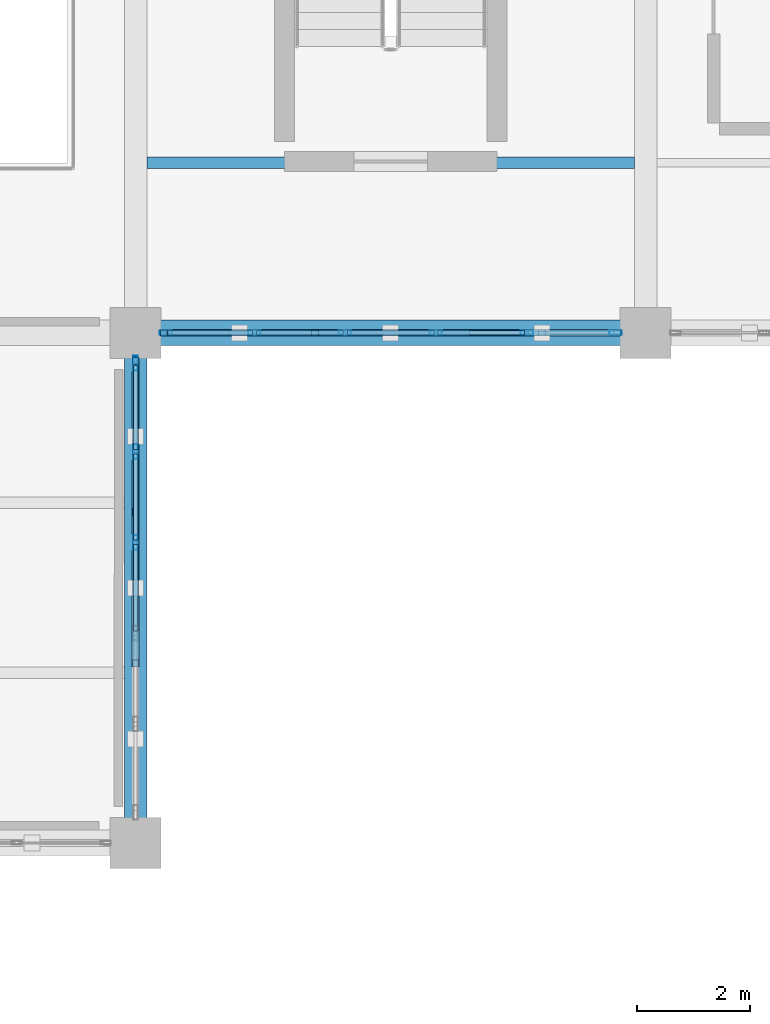
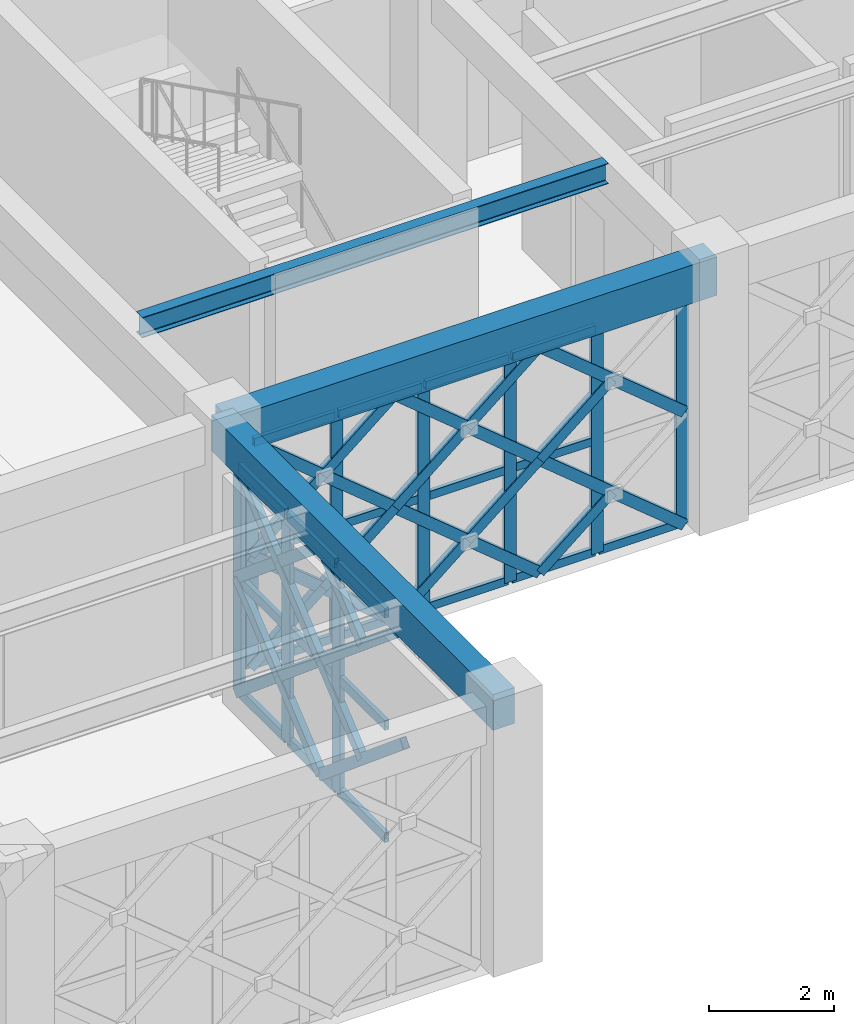
# One storey, part 96 of 155: 57 members, 3 beams, 2 elements without a shape of their own.
"""IFC4 building model written with IfcOpenShell, lengths in metres."""

from ifc_helpers import new_model, si_unit, direction, frame, origin, origin_2d, place, context, subcontext, project, spatial, rectangle, hollow_rectangle, i_section, extrude, material, material_profile, profile_set, type_object, element, aggregate, save


model = new_model("IFC4")

# Units and contexts
model_context = context("Model", 3, precision=1e-05, world=origin(), true_north=direction((0.0, 1.0)))
body_context = subcontext(model_context, "Body", "Model", "MODEL_VIEW")
ifc_project = project(units=[si_unit("LENGTHUNIT", "METRE"), si_unit("AREAUNIT", "SQUARE_METRE"), si_unit("VOLUMEUNIT", "CUBIC_METRE"), si_unit("PLANEANGLEUNIT", "RADIAN"), si_unit("MASSUNIT", "GRAM", prefix="KILO")], contexts=[model_context])

# Site, building, storey
site_placement = place(None, origin())
site = spatial("IfcSite", under=ifc_project, at=site_placement, CompositionType="ELEMENT")
building_placement = place(site_placement, origin())
building = spatial("IfcBuilding", under=site, at=building_placement, Name="Haizhuo Lancet Aquarium", CompositionType="ELEMENT")
storey_placement = place(building_placement, frame((0.0, 0.0, 10.800048828125)))
storey = spatial("IfcBuildingStorey", under=building, at=storey_placement, Name="L02", CompositionType="ELEMENT", Elevation=10.800048828125)

# Beams
ifc_material_1 = material(Name="Concrete C40/50", Category="concrete")
ifc_material_profile_1 = material_profile(ifc_material_1, rectangle(XDim=0.39990234375, YDim=0.699951171875, at=origin_2d()), Name="RC-BM 400x700")
ifc_profile_set_1 = profile_set([ifc_material_profile_1], Name="Concrete C40/50")
beam_type_1 = type_object("IfcBeamType", Name="BM-RC-400x700", PredefinedType="BEAM", material=ifc_profile_set_1)
beam_1_placement = place(storey_placement, frame((54.0, -36.0, 4.81005859375), z_axis=(0.0, 1.0, 0.0), x_axis=(-1.0, 0.0, 0.0)))
element("IfcBeam", 1, at=beam_1_placement, inside=storey, type_object=beam_type_1, Name="L02 V3 primary girder BM-L02-V3-017", PredefinedType="BEAM", context=body_context, shape_type="SweptSolid", body=[
    extrude(rectangle(XDim=0.39990234375, YDim=0.699951171875, at=origin_2d()), origin(), (0.0, 0.0, 1.0), 9.0),
])
ifc_material_profile_2 = material_profile(ifc_material_1, rectangle(XDim=0.449951171875, YDim=0.75, at=origin_2d()), Name="RC-BM 450x750")
ifc_profile_set_2 = profile_set([ifc_material_profile_2], Name="Concrete C40/50")
beam_type_2 = type_object("IfcBeamType", Name="BM-RC-450x750", PredefinedType="BEAM", material=ifc_profile_set_2)
beam_2_placement = place(storey_placement, frame((54.0, -27.0, 4.784912109375), z_axis=(1.0, 0.0, 0.0), x_axis=(0.0, 1.0, 0.0)))
element("IfcBeam", 2, at=beam_2_placement, inside=storey, type_object=beam_type_2, Name="L02 V3 primary girder BM-L02-V3-019", PredefinedType="BEAM", context=body_context, shape_type="SweptSolid", body=[
    extrude(rectangle(XDim=0.449951171875, YDim=0.75, at=origin_2d()), origin(), (0.0, 0.0, 1.0), 9.0),
])

# Curtain wall, members
ifc_material_2 = material(Name="Aluminium 6063-T6", Category="aluminium")
curtain_wall_type_1 = type_object("IfcCurtainWallType", Name="CWO-8010x4410", PredefinedType="NOTDEFINED", material=ifc_material_2)
curtain_wall_1_placement = place(storey_placement, origin())
curtain_wall_1 = element("IfcCurtainWall", 3, at=curtain_wall_1_placement, inside=storey, type_object=curtain_wall_type_1, Name="L02 curtain wall CW-V3-L02-059", PredefinedType="NOTDEFINED")
ifc_material_profile_3 = material_profile(ifc_material_2, hollow_rectangle(XDim=0.074951171875, YDim=0.219970703125, WallThickness=0.0048828125, at=origin_2d()), Name="ALU-M 75x220x5")
ifc_profile_set_3 = profile_set([ifc_material_profile_3], Name="Aluminium 6063-T6")
member_type_1 = type_object("IfcMemberType", Name="CW-MUL-2", PredefinedType="MULLION", material=ifc_profile_set_3)
member_1_placement = place(storey_placement, frame((62.468017578125, -27.0, 0.0), z_axis=(0.0, 0.0, 1.0), x_axis=(0.0, -1.0, 0.0)))
member_1 = element("IfcMember", 4, at=member_1_placement, type_object=member_type_1, Name="CWO-80x44 mullion 1", PredefinedType="MULLION", context=body_context, shape_type="SweptSolid", body=[
    extrude(hollow_rectangle(XDim=0.074951171875, YDim=0.219970703125, WallThickness=0.0048828125, at=origin_2d()), origin(), (0.0, 0.0, 1.0), 4.409912109375),
])
member_2_placement = place(storey_placement, frame((60.903076171875, -27.0, 0.0), z_axis=(0.0, 0.0, 1.0), x_axis=(0.0, -1.0, 0.0)))
member_2 = element("IfcMember", 5, at=member_2_placement, type_object=member_type_1, Name="CWO-80x44 mullion 2", PredefinedType="MULLION", context=body_context, shape_type="SweptSolid", body=[
    extrude(hollow_rectangle(XDim=0.074951171875, YDim=0.219970703125, WallThickness=0.0048828125, at=origin_2d()), origin(), (0.0, 0.0, 1.0), 4.409912109375),
])
member_3_placement = place(storey_placement, frame((59.301025390625, -27.0, 0.0), z_axis=(0.0, 0.0, 1.0), x_axis=(0.0, -1.0, 0.0)))
member_3 = element("IfcMember", 6, at=member_3_placement, type_object=member_type_1, Name="CWO-80x44 mullion 3", PredefinedType="MULLION", context=body_context, shape_type="SweptSolid", body=[
    extrude(hollow_rectangle(XDim=0.074951171875, YDim=0.219970703125, WallThickness=0.0048828125, at=origin_2d()), origin(), (0.0, 0.0, 1.0), 4.409912109375),
])
member_4_placement = place(storey_placement, frame((57.698974609375, -27.0, 0.0), z_axis=(0.0, 0.0, 1.0), x_axis=(0.0, -1.0, 0.0)))
member_4 = element("IfcMember", 7, at=member_4_placement, type_object=member_type_1, Name="CWO-80x44 mullion 4", PredefinedType="MULLION", context=body_context, shape_type="SweptSolid", body=[
    extrude(hollow_rectangle(XDim=0.074951171875, YDim=0.219970703125, WallThickness=0.0048828125, at=origin_2d()), origin(), (0.0, 0.0, 1.0), 4.409912109375),
])
member_5_placement = place(storey_placement, frame((56.096923828125, -27.0, 0.0), z_axis=(0.0, 0.0, 1.0), x_axis=(0.0, -1.0, 0.0)))
member_5 = element("IfcMember", 8, at=member_5_placement, type_object=member_type_1, Name="CWO-80x44 mullion 5", PredefinedType="MULLION", context=body_context, shape_type="SweptSolid", body=[
    extrude(hollow_rectangle(XDim=0.074951171875, YDim=0.219970703125, WallThickness=0.0048828125, at=origin_2d()), origin(), (0.0, 0.0, 1.0), 4.409912109375),
])
member_6_placement = place(storey_placement, frame((54.531982421875, -27.0, 0.0), z_axis=(0.0, 0.0, 1.0), x_axis=(0.0, -1.0, 0.0)))
member_6 = element("IfcMember", 9, at=member_6_placement, type_object=member_type_1, Name="CWO-80x44 mullion 6", PredefinedType="MULLION", context=body_context, shape_type="SweptSolid", body=[
    extrude(hollow_rectangle(XDim=0.074951171875, YDim=0.219970703125, WallThickness=0.0048828125, at=origin_2d()), origin(), (0.0, 0.0, 1.0), 4.409912109375),
])

curtain_wall_type_2 = type_object("IfcCurtainWallType", Name="CWO-8010x4460", PredefinedType="NOTDEFINED", material=ifc_material_2)
curtain_wall_2_placement = place(storey_placement, origin())
curtain_wall_2 = element("IfcCurtainWall", 10, at=curtain_wall_2_placement, inside=storey, type_object=curtain_wall_type_2, Name="L02 curtain wall CW-V3-L02-060", PredefinedType="NOTDEFINED")
ifc_material_profile_4 = material_profile(ifc_material_2, hollow_rectangle(XDim=0.080078125, YDim=0.260009765625, WallThickness=0.0048828125, at=origin_2d()), Name="ALU-M 80x260x5")
ifc_profile_set_4 = profile_set([ifc_material_profile_4], Name="Aluminium 6063-T6")
member_type_2 = type_object("IfcMemberType", Name="CW-MUL-3", PredefinedType="MULLION", material=ifc_profile_set_4)
member_7_placement = place(storey_placement, frame((54.0, -27.534912109375, 0.0), z_axis=(0.0, 0.0, 1.0), x_axis=(1.0, 0.0, 0.0)))
member_7 = element("IfcMember", 11, at=member_7_placement, type_object=member_type_2, Name="CWO-80x44 mullion 1", PredefinedType="MULLION", context=body_context, shape_type="SweptSolid", body=[
    extrude(hollow_rectangle(XDim=0.080078125, YDim=0.260009765625, WallThickness=0.0048828125, at=origin_2d()), origin(), (0.0, 0.0, 1.0), 4.4599609375),
])
member_8_placement = place(storey_placement, frame((54.0, -29.096923828125, 0.0), z_axis=(0.0, 0.0, 1.0), x_axis=(1.0, 0.0, 0.0)))
member_8 = element("IfcMember", 12, at=member_8_placement, type_object=member_type_2, Name="CWO-80x44 mullion 2", PredefinedType="MULLION", context=body_context, shape_type="SweptSolid", body=[
    extrude(hollow_rectangle(XDim=0.080078125, YDim=0.260009765625, WallThickness=0.0048828125, at=origin_2d()), origin(), (0.0, 0.0, 1.0), 4.4599609375),
])
member_9_placement = place(storey_placement, frame((54.0, -30.698974609375, 0.0), z_axis=(0.0, 0.0, 1.0), x_axis=(1.0, 0.0, 0.0)))
member_9 = element("IfcMember", 13, at=member_9_placement, type_object=member_type_2, Name="CWO-80x44 mullion 3", PredefinedType="MULLION", context=body_context, shape_type="SweptSolid", body=[
    extrude(hollow_rectangle(XDim=0.080078125, YDim=0.260009765625, WallThickness=0.0048828125, at=origin_2d()), origin(), (0.0, 0.0, 1.0), 4.4599609375),
])

# Member
ifc_material_profile_5 = material_profile(ifc_material_2, hollow_rectangle(XDim=0.074951171875, YDim=0.159912109375, WallThickness=0.00390625, at=origin_2d()), Name="ALU-T 75x160x4")
ifc_profile_set_5 = profile_set([ifc_material_profile_5], Name="Aluminium 6063-T6")
member_type_3 = type_object("IfcMemberType", Name="CW-TRN-2", PredefinedType="NOTDEFINED", material=ifc_profile_set_5)
member_10_placement = place(storey_placement, frame((62.429931640625, -27.0, 0.037841796875), z_axis=(-1.0, 0.0, 0.0), x_axis=(0.0, -1.0, 0.0)))
member_10 = element("IfcMember", 14, at=member_10_placement, type_object=member_type_3, Name="CWO-80x44 transom 1.1", ObjectType="TRANSOM", PredefinedType="USERDEFINED", context=body_context, shape_type="SweptSolid", body=[
    extrude(hollow_rectangle(XDim=0.074951171875, YDim=0.159912109375, WallThickness=0.00390625, at=origin_2d()), origin(), (0.0, 0.0, 1.0), 1.489013671875),
])

member_11_placement = place(storey_placement, frame((60.865966796875, -27.0, 0.037841796875), z_axis=(-1.0, 0.0, 0.0), x_axis=(0.0, -1.0, 0.0)))
member_11 = element("IfcMember", 15, at=member_11_placement, type_object=member_type_3, Name="CWO-80x44 transom 2.1", ObjectType="TRANSOM", PredefinedType="USERDEFINED", context=body_context, shape_type="SweptSolid", body=[
    extrude(hollow_rectangle(XDim=0.074951171875, YDim=0.159912109375, WallThickness=0.00390625, at=origin_2d()), origin(), (0.0, 0.0, 1.0), 1.52685546875),
])

member_12_placement = place(storey_placement, frame((60.865966796875, -27.0, 2.204833984375), z_axis=(-1.0, 0.0, 0.0), x_axis=(0.0, -1.0, 0.0)))
member_12 = element("IfcMember", 16, at=member_12_placement, type_object=member_type_3, Name="CWO-80x44 transom 2.2", ObjectType="TRANSOM", PredefinedType="USERDEFINED", context=body_context, shape_type="SweptSolid", body=[
    extrude(hollow_rectangle(XDim=0.074951171875, YDim=0.159912109375, WallThickness=0.00390625, at=origin_2d()), origin(), (0.0, 0.0, 1.0), 1.52685546875),
])

member_13_placement = place(storey_placement, frame((60.865966796875, -27.0, 4.373046875), z_axis=(-1.0, 0.0, 0.0), x_axis=(0.0, -1.0, 0.0)))
member_13 = element("IfcMember", 17, at=member_13_placement, type_object=member_type_3, Name="CWO-80x44 transom 2.3", ObjectType="TRANSOM", PredefinedType="USERDEFINED", context=body_context, shape_type="SweptSolid", body=[
    extrude(hollow_rectangle(XDim=0.074951171875, YDim=0.159912109375, WallThickness=0.00390625, at=origin_2d()), origin(), (0.0, 0.0, 1.0), 1.52685546875),
])

member_14_placement = place(storey_placement, frame((59.263916015625, -27.0, 0.037841796875), z_axis=(-1.0, 0.0, 0.0), x_axis=(0.0, -1.0, 0.0)))
member_14 = element("IfcMember", 18, at=member_14_placement, type_object=member_type_3, Name="CWO-80x44 transom 3.1", ObjectType="TRANSOM", PredefinedType="USERDEFINED", context=body_context, shape_type="SweptSolid", body=[
    extrude(hollow_rectangle(XDim=0.074951171875, YDim=0.159912109375, WallThickness=0.00390625, at=origin_2d()), origin(), (0.0, 0.0, 1.0), 1.52783203125),
])

member_15_placement = place(storey_placement, frame((59.263916015625, -27.0, 2.204833984375), z_axis=(-1.0, 0.0, 0.0), x_axis=(0.0, -1.0, 0.0)))
member_15 = element("IfcMember", 19, at=member_15_placement, type_object=member_type_3, Name="CWO-80x44 transom 3.2", ObjectType="TRANSOM", PredefinedType="USERDEFINED", context=body_context, shape_type="SweptSolid", body=[
    extrude(hollow_rectangle(XDim=0.074951171875, YDim=0.159912109375, WallThickness=0.00390625, at=origin_2d()), origin(), (0.0, 0.0, 1.0), 1.52783203125),
])

member_16_placement = place(storey_placement, frame((59.263916015625, -27.0, 4.373046875), z_axis=(-1.0, 0.0, 0.0), x_axis=(0.0, -1.0, 0.0)))
member_16 = element("IfcMember", 20, at=member_16_placement, type_object=member_type_3, Name="CWO-80x44 transom 3.3", ObjectType="TRANSOM", PredefinedType="USERDEFINED", context=body_context, shape_type="SweptSolid", body=[
    extrude(hollow_rectangle(XDim=0.074951171875, YDim=0.159912109375, WallThickness=0.00390625, at=origin_2d()), origin(), (0.0, 0.0, 1.0), 1.52783203125),
])

member_17_placement = place(storey_placement, frame((57.662109375, -27.0, 0.037841796875), z_axis=(-1.0, 0.0, 0.0), x_axis=(0.0, -1.0, 0.0)))
member_17 = element("IfcMember", 21, at=member_17_placement, type_object=member_type_3, Name="CWO-80x44 transom 4.1", ObjectType="TRANSOM", PredefinedType="USERDEFINED", context=body_context, shape_type="SweptSolid", body=[
    extrude(hollow_rectangle(XDim=0.074951171875, YDim=0.159912109375, WallThickness=0.00390625, at=origin_2d()), origin(), (0.0, 0.0, 1.0), 1.528076171875),
])

member_18_placement = place(storey_placement, frame((57.662109375, -27.0, 2.204833984375), z_axis=(-1.0, 0.0, 0.0), x_axis=(0.0, -1.0, 0.0)))
member_18 = element("IfcMember", 22, at=member_18_placement, type_object=member_type_3, Name="CWO-80x44 transom 4.2", ObjectType="TRANSOM", PredefinedType="USERDEFINED", context=body_context, shape_type="SweptSolid", body=[
    extrude(hollow_rectangle(XDim=0.074951171875, YDim=0.159912109375, WallThickness=0.00390625, at=origin_2d()), origin(), (0.0, 0.0, 1.0), 1.528076171875),
])

member_19_placement = place(storey_placement, frame((57.662109375, -27.0, 4.373046875), z_axis=(-1.0, 0.0, 0.0), x_axis=(0.0, -1.0, 0.0)))
member_19 = element("IfcMember", 23, at=member_19_placement, type_object=member_type_3, Name="CWO-80x44 transom 4.3", ObjectType="TRANSOM", PredefinedType="USERDEFINED", context=body_context, shape_type="SweptSolid", body=[
    extrude(hollow_rectangle(XDim=0.074951171875, YDim=0.159912109375, WallThickness=0.00390625, at=origin_2d()), origin(), (0.0, 0.0, 1.0), 1.528076171875),
])

member_20_placement = place(storey_placement, frame((56.05908203125, -27.0, 0.037841796875), z_axis=(-1.0, 0.0, 0.0), x_axis=(0.0, -1.0, 0.0)))
member_20 = element("IfcMember", 24, at=member_20_placement, type_object=member_type_3, Name="CWO-80x44 transom 5.1", ObjectType="TRANSOM", PredefinedType="USERDEFINED", context=body_context, shape_type="SweptSolid", body=[
    extrude(hollow_rectangle(XDim=0.074951171875, YDim=0.159912109375, WallThickness=0.00390625, at=origin_2d()), origin(), (0.0, 0.0, 1.0), 1.489013671875),
])

member_21_placement = place(storey_placement, frame((56.05908203125, -27.0, 2.204833984375), z_axis=(-1.0, 0.0, 0.0), x_axis=(0.0, -1.0, 0.0)))
member_21 = element("IfcMember", 25, at=member_21_placement, type_object=member_type_3, Name="CWO-80x44 transom 5.2", ObjectType="TRANSOM", PredefinedType="USERDEFINED", context=body_context, shape_type="SweptSolid", body=[
    extrude(hollow_rectangle(XDim=0.074951171875, YDim=0.159912109375, WallThickness=0.00390625, at=origin_2d()), origin(), (0.0, 0.0, 1.0), 1.489013671875),
])

member_22_placement = place(storey_placement, frame((56.05908203125, -27.0, 4.373046875), z_axis=(-1.0, 0.0, 0.0), x_axis=(0.0, -1.0, 0.0)))
member_22 = element("IfcMember", 26, at=member_22_placement, type_object=member_type_3, Name="CWO-80x44 transom 5.3", ObjectType="TRANSOM", PredefinedType="USERDEFINED", context=body_context, shape_type="SweptSolid", body=[
    extrude(hollow_rectangle(XDim=0.074951171875, YDim=0.159912109375, WallThickness=0.00390625, at=origin_2d()), origin(), (0.0, 0.0, 1.0), 1.489013671875),
])

aggregate(curtain_wall_1, [member_1, member_2, member_3, member_4, member_5, member_6, member_10, member_11, member_12, member_13, member_14, member_15, member_16, member_17, member_18, member_19, member_20, member_21, member_22])

ifc_material_profile_6 = material_profile(ifc_material_2, hollow_rectangle(XDim=0.080078125, YDim=0.18994140625, WallThickness=0.0048828125, at=origin_2d()), Name="ALU-T 80x190x5")
ifc_profile_set_6 = profile_set([ifc_material_profile_6], Name="Aluminium 6063-T6")
member_type_4 = type_object("IfcMemberType", Name="CW-TRN-3", PredefinedType="NOTDEFINED", material=ifc_profile_set_6)
member_23_placement = place(storey_placement, frame((54.0, -27.574951171875, 0.0400390625), z_axis=(0.0, -1.0, 0.0), x_axis=(1.0, 0.0, 0.0)))
member_23 = element("IfcMember", 27, at=member_23_placement, type_object=member_type_4, Name="CWO-80x44 transom 1.1", ObjectType="TRANSOM", PredefinedType="USERDEFINED", context=body_context, shape_type="SweptSolid", body=[
    extrude(hollow_rectangle(XDim=0.080078125, YDim=0.18994140625, WallThickness=0.0048828125, at=origin_2d()), origin(), (0.0, 0.0, 1.0), 1.48193359375),
])

member_24_placement = place(storey_placement, frame((54.0, -27.574951171875, 2.22998046875), z_axis=(0.0, -1.0, 0.0), x_axis=(1.0, 0.0, 0.0)))
member_24 = element("IfcMember", 28, at=member_24_placement, type_object=member_type_4, Name="CWO-80x44 transom 1.2", ObjectType="TRANSOM", PredefinedType="USERDEFINED", context=body_context, shape_type="SweptSolid", body=[
    extrude(hollow_rectangle(XDim=0.080078125, YDim=0.18994140625, WallThickness=0.0048828125, at=origin_2d()), origin(), (0.0, 0.0, 1.0), 1.48193359375),
])

member_25_placement = place(storey_placement, frame((54.0, -27.574951171875, 4.419921875), z_axis=(0.0, -1.0, 0.0), x_axis=(1.0, 0.0, 0.0)))
member_25 = element("IfcMember", 29, at=member_25_placement, type_object=member_type_4, Name="CWO-80x44 transom 1.3", ObjectType="TRANSOM", PredefinedType="USERDEFINED", context=body_context, shape_type="SweptSolid", body=[
    extrude(hollow_rectangle(XDim=0.080078125, YDim=0.18994140625, WallThickness=0.0048828125, at=origin_2d()), origin(), (0.0, 0.0, 1.0), 1.48193359375),
])

member_26_placement = place(storey_placement, frame((54.0, -29.136962890625, 0.0400390625), z_axis=(0.0, -1.0, 0.0), x_axis=(1.0, 0.0, 0.0)))
member_26 = element("IfcMember", 30, at=member_26_placement, type_object=member_type_4, Name="CWO-80x44 transom 2.1", ObjectType="TRANSOM", PredefinedType="USERDEFINED", context=body_context, shape_type="SweptSolid", body=[
    extrude(hollow_rectangle(XDim=0.080078125, YDim=0.18994140625, WallThickness=0.0048828125, at=origin_2d()), origin(), (0.0, 0.0, 1.0), 1.52197265625),
])

member_27_placement = place(storey_placement, frame((54.0, -29.136962890625, 2.22998046875), z_axis=(0.0, -1.0, 0.0), x_axis=(1.0, 0.0, 0.0)))
member_27 = element("IfcMember", 31, at=member_27_placement, type_object=member_type_4, Name="CWO-80x44 transom 2.2", ObjectType="TRANSOM", PredefinedType="USERDEFINED", context=body_context, shape_type="SweptSolid", body=[
    extrude(hollow_rectangle(XDim=0.080078125, YDim=0.18994140625, WallThickness=0.0048828125, at=origin_2d()), origin(), (0.0, 0.0, 1.0), 1.52197265625),
])

member_28_placement = place(storey_placement, frame((54.0, -29.136962890625, 4.419921875), z_axis=(0.0, -1.0, 0.0), x_axis=(1.0, 0.0, 0.0)))
member_28 = element("IfcMember", 32, at=member_28_placement, type_object=member_type_4, Name="CWO-80x44 transom 2.3", ObjectType="TRANSOM", PredefinedType="USERDEFINED", context=body_context, shape_type="SweptSolid", body=[
    extrude(hollow_rectangle(XDim=0.080078125, YDim=0.18994140625, WallThickness=0.0048828125, at=origin_2d()), origin(), (0.0, 0.0, 1.0), 1.52197265625),
])

member_29_placement = place(storey_placement, frame((54.0, -30.739013671875, 0.0400390625), z_axis=(0.0, -1.0, 0.0), x_axis=(1.0, 0.0, 0.0)))
member_29 = element("IfcMember", 33, at=member_29_placement, type_object=member_type_4, Name="CWO-80x44 transom 3.1", ObjectType="TRANSOM", PredefinedType="USERDEFINED", context=body_context, shape_type="SweptSolid", body=[
    extrude(hollow_rectangle(XDim=0.080078125, YDim=0.18994140625, WallThickness=0.0048828125, at=origin_2d()), origin(), (0.0, 0.0, 1.0), 1.52197265625),
])

member_30_placement = place(storey_placement, frame((54.0, -30.739013671875, 2.22998046875), z_axis=(0.0, -1.0, 0.0), x_axis=(1.0, 0.0, 0.0)))
member_30 = element("IfcMember", 34, at=member_30_placement, type_object=member_type_4, Name="CWO-80x44 transom 3.2", ObjectType="TRANSOM", PredefinedType="USERDEFINED", context=body_context, shape_type="SweptSolid", body=[
    extrude(hollow_rectangle(XDim=0.080078125, YDim=0.18994140625, WallThickness=0.0048828125, at=origin_2d()), origin(), (0.0, 0.0, 1.0), 1.52197265625),
])

member_31_placement = place(storey_placement, frame((54.0, -30.739013671875, 4.419921875), z_axis=(0.0, -1.0, 0.0), x_axis=(1.0, 0.0, 0.0)))
member_31 = element("IfcMember", 35, at=member_31_placement, type_object=member_type_4, Name="CWO-80x44 transom 3.3", ObjectType="TRANSOM", PredefinedType="USERDEFINED", context=body_context, shape_type="SweptSolid", body=[
    extrude(hollow_rectangle(XDim=0.080078125, YDim=0.18994140625, WallThickness=0.0048828125, at=origin_2d()), origin(), (0.0, 0.0, 1.0), 1.52197265625),
])

aggregate(curtain_wall_2, [member_7, member_8, member_9, member_23, member_24, member_25, member_26, member_27, member_28, member_29, member_30, member_31])

# Beam
ifc_material_3 = material(Name="Steel S355", Category="steel")
ifc_material_profile_7 = material_profile(ifc_material_3, i_section(OverallWidth=0.199951171875, OverallDepth=0.39990234375, WebThickness=0.008056640625, FlangeThickness=0.012939453125, FilletRadius=0.01611328125, at=origin_2d()), Name="HN 400x200x8x13")
ifc_profile_set_7 = profile_set([ifc_material_profile_7], Name="Steel S355")
beam_type_3 = type_object("IfcBeamType", Name="JST-ST-HN400", PredefinedType="JOIST", material=ifc_profile_set_7)
beam_3_placement = place(storey_placement, frame((54.199951171875, -24.0, 4.9599609375), z_axis=(1.0, 0.0, 0.0), x_axis=(0.0, 1.0, 0.0)))
element("IfcBeam", 36, at=beam_3_placement, inside=storey, type_object=beam_type_3, Name="L02 V3 secondary floor joist 9", PredefinedType="JOIST", context=body_context, shape_type="SweptSolid", body=[
    extrude(i_section(OverallWidth=0.199951171875, OverallDepth=0.39990234375, WebThickness=0.008056640625, FlangeThickness=0.012939453125, FilletRadius=0.01611328125, at=origin_2d()), origin(), (0.0, 0.0, 1.0), 8.60009765625),
])

# Members
ifc_material_profile_8 = material_profile(ifc_material_3, hollow_rectangle(XDim=0.1201171875, YDim=0.199951171875, WallThickness=0.008056640625, at=origin_2d()), Name="RHS 120x200x8")
ifc_profile_set_8 = profile_set([ifc_material_profile_8], Name="Steel S355")
member_type_5 = type_object("IfcMemberType", Name="MEM-LB-RHS120x200", PredefinedType="BRACE", material=ifc_profile_set_8)
member_32_placement = place(storey_placement, frame((62.5048828125, -27.0, 0.0), z_axis=(-0.771068610934, 0.0, 0.636752068887), x_axis=(0.0, -1.0, 0.0)))
element("IfcMember", 37, at=member_32_placement, inside=storey, type_object=member_type_5, Name="Gothic lancet continuous diagonal brace CW-V3-L02-059 1A", PredefinedType="BRACE", context=body_context, shape_type="SweptSolid", body=[
    extrude(hollow_rectangle(XDim=0.1201171875, YDim=0.199951171875, WallThickness=0.008056640625, at=origin_2d()), origin(), (0.0, 0.0, 1.0), 3.462646484375),
])
member_33_placement = place(storey_placement, frame((59.8349609375, -27.0, 0.0), z_axis=(0.771172467693, 0.0, 0.63662628368), x_axis=(0.0, 1.0, 0.0)))
element("IfcMember", 38, at=member_33_placement, inside=storey, type_object=member_type_5, Name="Gothic lancet split diagonal brace CW-V3-L02-059 1B1", PredefinedType="BRACE", context=body_context, shape_type="SweptSolid", body=[
    extrude(hollow_rectangle(XDim=0.1201171875, YDim=0.199951171875, WallThickness=0.008056640625, at=origin_2d()), origin(), (0.0, 0.0, 1.0), 1.731201171875),
])
member_34_placement = place(storey_placement, frame((62.5048828125, -27.0, 2.204833984375), z_axis=(-0.771033993673, 0.0, 0.636793985996), x_axis=(0.0, -1.0, 0.0)))
element("IfcMember", 39, at=member_34_placement, inside=storey, type_object=member_type_5, Name="Gothic lancet continuous diagonal brace CW-V3-L02-059 2A", PredefinedType="BRACE", context=body_context, shape_type="SweptSolid", body=[
    extrude(hollow_rectangle(XDim=0.1201171875, YDim=0.199951171875, WallThickness=0.008056640625, at=origin_2d()), origin(), (0.0, 0.0, 1.0), 3.462890625),
])
member_35_placement = place(storey_placement, frame((59.8349609375, -27.0, 2.204833984375), z_axis=(0.770895532931, 0.0, 0.636961597985), x_axis=(0.0, 1.0, 0.0)))
element("IfcMember", 40, at=member_35_placement, inside=storey, type_object=member_type_5, Name="Gothic lancet split diagonal brace CW-V3-L02-059 2B1", PredefinedType="BRACE", context=body_context, shape_type="SweptSolid", body=[
    extrude(hollow_rectangle(XDim=0.1201171875, YDim=0.199951171875, WallThickness=0.008056640625, at=origin_2d()), origin(), (0.0, 0.0, 1.0), 1.731689453125),
])
member_36_placement = place(storey_placement, frame((59.8349609375, -27.0, 0.0), z_axis=(-0.771068610934, 0.0, 0.636752068887), x_axis=(0.0, -1.0, 0.0)))
element("IfcMember", 41, at=member_36_placement, inside=storey, type_object=member_type_5, Name="Gothic lancet continuous diagonal brace CW-V3-L02-059 3A", PredefinedType="BRACE", context=body_context, shape_type="SweptSolid", body=[
    extrude(hollow_rectangle(XDim=0.1201171875, YDim=0.199951171875, WallThickness=0.008056640625, at=origin_2d()), origin(), (0.0, 0.0, 1.0), 3.462646484375),
])
member_37_placement = place(storey_placement, frame((57.1650390625, -27.0, 0.0), z_axis=(0.771172467693, 0.0, 0.63662628368), x_axis=(0.0, 1.0, 0.0)))
element("IfcMember", 42, at=member_37_placement, inside=storey, type_object=member_type_5, Name="Gothic lancet split diagonal brace CW-V3-L02-059 3B1", PredefinedType="BRACE", context=body_context, shape_type="SweptSolid", body=[
    extrude(hollow_rectangle(XDim=0.1201171875, YDim=0.199951171875, WallThickness=0.008056640625, at=origin_2d()), origin(), (0.0, 0.0, 1.0), 1.731201171875),
])
member_38_placement = place(storey_placement, frame((58.5, -27.0, 1.10205078125), z_axis=(0.77096476164, 0.0, 0.636877803279), x_axis=(0.0, 1.0, 0.0)))
element("IfcMember", 43, at=member_38_placement, inside=storey, type_object=member_type_5, Name="Gothic lancet split diagonal brace CW-V3-L02-059 3B2", PredefinedType="BRACE", context=body_context, shape_type="SweptSolid", body=[
    extrude(hollow_rectangle(XDim=0.1201171875, YDim=0.199951171875, WallThickness=0.008056640625, at=origin_2d()), origin(), (0.0, 0.0, 1.0), 1.7314453125),
])
member_39_placement = place(storey_placement, frame((59.8349609375, -27.0, 2.204833984375), z_axis=(-0.771033993673, 0.0, 0.636793985996), x_axis=(0.0, -1.0, 0.0)))
element("IfcMember", 44, at=member_39_placement, inside=storey, type_object=member_type_5, Name="Gothic lancet continuous diagonal brace CW-V3-L02-059 4A", PredefinedType="BRACE", context=body_context, shape_type="SweptSolid", body=[
    extrude(hollow_rectangle(XDim=0.1201171875, YDim=0.199951171875, WallThickness=0.008056640625, at=origin_2d()), origin(), (0.0, 0.0, 1.0), 3.462890625),
])
member_40_placement = place(storey_placement, frame((57.1650390625, -27.0, 2.204833984375), z_axis=(0.770895532931, 0.0, 0.636961597985), x_axis=(0.0, 1.0, 0.0)))
element("IfcMember", 45, at=member_40_placement, inside=storey, type_object=member_type_5, Name="Gothic lancet split diagonal brace CW-V3-L02-059 4B1", PredefinedType="BRACE", context=body_context, shape_type="SweptSolid", body=[
    extrude(hollow_rectangle(XDim=0.1201171875, YDim=0.199951171875, WallThickness=0.008056640625, at=origin_2d()), origin(), (0.0, 0.0, 1.0), 1.731689453125),
])
member_41_placement = place(storey_placement, frame((58.5, -27.0, 3.307861328125), z_axis=(0.771172467693, 0.0, 0.63662628368), x_axis=(0.0, 1.0, 0.0)))
element("IfcMember", 46, at=member_41_placement, inside=storey, type_object=member_type_5, Name="Gothic lancet split diagonal brace CW-V3-L02-059 4B2", PredefinedType="BRACE", context=body_context, shape_type="SweptSolid", body=[
    extrude(hollow_rectangle(XDim=0.1201171875, YDim=0.199951171875, WallThickness=0.008056640625, at=origin_2d()), origin(), (0.0, 0.0, 1.0), 1.731201171875),
])
member_42_placement = place(storey_placement, frame((57.1650390625, -27.0, 0.0), z_axis=(-0.771068610934, 0.0, 0.636752068887), x_axis=(0.0, -1.0, 0.0)))
element("IfcMember", 47, at=member_42_placement, inside=storey, type_object=member_type_5, Name="Gothic lancet continuous diagonal brace CW-V3-L02-059 5A", PredefinedType="BRACE", context=body_context, shape_type="SweptSolid", body=[
    extrude(hollow_rectangle(XDim=0.1201171875, YDim=0.199951171875, WallThickness=0.008056640625, at=origin_2d()), origin(), (0.0, 0.0, 1.0), 3.462646484375),
])
member_43_placement = place(storey_placement, frame((54.4951171875, -27.0, 0.0), z_axis=(0.771172467693, 0.0, 0.63662628368), x_axis=(0.0, 1.0, 0.0)))
element("IfcMember", 48, at=member_43_placement, inside=storey, type_object=member_type_5, Name="Gothic lancet split diagonal brace CW-V3-L02-059 5B1", PredefinedType="BRACE", context=body_context, shape_type="SweptSolid", body=[
    extrude(hollow_rectangle(XDim=0.1201171875, YDim=0.199951171875, WallThickness=0.008056640625, at=origin_2d()), origin(), (0.0, 0.0, 1.0), 1.731201171875),
])
member_44_placement = place(storey_placement, frame((55.830078125, -27.0, 1.10205078125), z_axis=(0.77096476164, 0.0, 0.636877803279), x_axis=(0.0, 1.0, 0.0)))
element("IfcMember", 49, at=member_44_placement, inside=storey, type_object=member_type_5, Name="Gothic lancet split diagonal brace CW-V3-L02-059 5B2", PredefinedType="BRACE", context=body_context, shape_type="SweptSolid", body=[
    extrude(hollow_rectangle(XDim=0.1201171875, YDim=0.199951171875, WallThickness=0.008056640625, at=origin_2d()), origin(), (0.0, 0.0, 1.0), 1.7314453125),
])
member_45_placement = place(storey_placement, frame((57.1650390625, -27.0, 2.204833984375), z_axis=(-0.771033993673, 0.0, 0.636793985996), x_axis=(0.0, -1.0, 0.0)))
element("IfcMember", 50, at=member_45_placement, inside=storey, type_object=member_type_5, Name="Gothic lancet continuous diagonal brace CW-V3-L02-059 6A", PredefinedType="BRACE", context=body_context, shape_type="SweptSolid", body=[
    extrude(hollow_rectangle(XDim=0.1201171875, YDim=0.199951171875, WallThickness=0.008056640625, at=origin_2d()), origin(), (0.0, 0.0, 1.0), 3.462890625),
])
member_46_placement = place(storey_placement, frame((54.4951171875, -27.0, 2.204833984375), z_axis=(0.770895532931, 0.0, 0.636961597985), x_axis=(0.0, 1.0, 0.0)))
element("IfcMember", 51, at=member_46_placement, inside=storey, type_object=member_type_5, Name="Gothic lancet split diagonal brace CW-V3-L02-059 6B1", PredefinedType="BRACE", context=body_context, shape_type="SweptSolid", body=[
    extrude(hollow_rectangle(XDim=0.1201171875, YDim=0.199951171875, WallThickness=0.008056640625, at=origin_2d()), origin(), (0.0, 0.0, 1.0), 1.731689453125),
])
member_47_placement = place(storey_placement, frame((55.830078125, -27.0, 3.307861328125), z_axis=(0.771172467693, 0.0, 0.63662628368), x_axis=(0.0, 1.0, 0.0)))
element("IfcMember", 52, at=member_47_placement, inside=storey, type_object=member_type_5, Name="Gothic lancet split diagonal brace CW-V3-L02-059 6B2", PredefinedType="BRACE", context=body_context, shape_type="SweptSolid", body=[
    extrude(hollow_rectangle(XDim=0.1201171875, YDim=0.199951171875, WallThickness=0.008056640625, at=origin_2d()), origin(), (0.0, 0.0, 1.0), 1.731201171875),
])
member_48_placement = place(storey_placement, frame((54.0, -27.4951171875, 0.0), z_axis=(0.0, -0.767507480131, 0.641039989348), x_axis=(1.0, 0.0, 0.0)))
element("IfcMember", 53, at=member_48_placement, inside=storey, type_object=member_type_5, Name="Gothic lancet continuous diagonal brace CW-V3-L02-060 1A", PredefinedType="BRACE", context=body_context, shape_type="SweptSolid", body=[
    extrude(hollow_rectangle(XDim=0.1201171875, YDim=0.199951171875, WallThickness=0.008056640625, at=origin_2d()), origin(), (0.0, 0.0, 1.0), 3.478759765625),
])
for number, where, z_axis, x_axis, name in (
    (54, (54.0, -30.1650390625, 0.0), (0.0, 0.767507480131, 0.641039989348), (-1.0, 0.0, 0.0), "Gothic lancet split diagonal brace CW-V3-L02-060 1B1"),
    (55, (54.0, -28.830078125, 1.114990234375), (0.0, 0.767507480131, 0.641039989348), (-1.0, 0.0, 0.0), "Gothic lancet split diagonal brace CW-V3-L02-060 1B2"),
):
    element("IfcMember", number, at=place(storey_placement, frame(where, z_axis=z_axis, x_axis=x_axis)), inside=storey, type_object=member_type_5, Name=name, PredefinedType="BRACE", context=body_context, shape_type="SweptSolid", body=[
        extrude(hollow_rectangle(XDim=0.1201171875, YDim=0.199951171875, WallThickness=0.008056640625, at=origin_2d()), origin(), (0.0, 0.0, 1.0), 1.7392578125),
    ])
member_49_placement = place(storey_placement, frame((54.0, -27.4951171875, 2.22998046875), z_axis=(0.0, -0.767507480131, 0.641039989348), x_axis=(1.0, 0.0, 0.0)))
element("IfcMember", 56, at=member_49_placement, inside=storey, type_object=member_type_5, Name="Gothic lancet continuous diagonal brace CW-V3-L02-060 2A", PredefinedType="BRACE", context=body_context, shape_type="SweptSolid", body=[
    extrude(hollow_rectangle(XDim=0.1201171875, YDim=0.199951171875, WallThickness=0.008056640625, at=origin_2d()), origin(), (0.0, 0.0, 1.0), 3.478759765625),
])
for number, where, z_axis, x_axis, name in (
    (57, (54.0, -30.1650390625, 2.22998046875), (0.0, 0.767507480131, 0.641039989348), (-1.0, 0.0, 0.0), "Gothic lancet split diagonal brace CW-V3-L02-060 2B1"),
    (58, (54.0, -28.830078125, 3.344970703125), (0.0, 0.767507480131, 0.641039989348), (-1.0, 0.0, 0.0), "Gothic lancet split diagonal brace CW-V3-L02-060 2B2"),
):
    element("IfcMember", number, at=place(storey_placement, frame(where, z_axis=z_axis, x_axis=x_axis)), inside=storey, type_object=member_type_5, Name=name, PredefinedType="BRACE", context=body_context, shape_type="SweptSolid", body=[
        extrude(hollow_rectangle(XDim=0.1201171875, YDim=0.199951171875, WallThickness=0.008056640625, at=origin_2d()), origin(), (0.0, 0.0, 1.0), 1.7392578125),
    ])
member_50_placement = place(storey_placement, frame((54.0, -30.1650390625, 0.0), z_axis=(0.0, -0.767507480131, 0.641039989348), x_axis=(1.0, 0.0, 0.0)))
element("IfcMember", 59, at=member_50_placement, inside=storey, type_object=member_type_5, Name="Gothic lancet continuous diagonal brace CW-V3-L02-060 3A", PredefinedType="BRACE", context=body_context, shape_type="SweptSolid", body=[
    extrude(hollow_rectangle(XDim=0.1201171875, YDim=0.199951171875, WallThickness=0.008056640625, at=origin_2d()), origin(), (0.0, 0.0, 1.0), 3.478759765625),
])
member_51_placement = place(storey_placement, frame((54.0, -31.5, 1.114990234375), z_axis=(0.0, 0.767507480131, 0.641039989348), x_axis=(-1.0, 0.0, 0.0)))
element("IfcMember", 60, at=member_51_placement, inside=storey, type_object=member_type_5, Name="Gothic lancet split diagonal brace CW-V3-L02-060 3B2", PredefinedType="BRACE", context=body_context, shape_type="SweptSolid", body=[
    extrude(hollow_rectangle(XDim=0.1201171875, YDim=0.199951171875, WallThickness=0.008056640625, at=origin_2d()), origin(), (0.0, 0.0, 1.0), 1.7392578125),
])
member_52_placement = place(storey_placement, frame((54.0, -30.1650390625, 2.22998046875), z_axis=(0.0, -0.767507480131, 0.641039989348), x_axis=(1.0, 0.0, 0.0)))
element("IfcMember", 61, at=member_52_placement, inside=storey, type_object=member_type_5, Name="Gothic lancet continuous diagonal brace CW-V3-L02-060 4A", PredefinedType="BRACE", context=body_context, shape_type="SweptSolid", body=[
    extrude(hollow_rectangle(XDim=0.1201171875, YDim=0.199951171875, WallThickness=0.008056640625, at=origin_2d()), origin(), (0.0, 0.0, 1.0), 3.478759765625),
])
member_53_placement = place(storey_placement, frame((54.0, -31.5, 3.344970703125), z_axis=(0.0, 0.767507480131, 0.641039989348), x_axis=(-1.0, 0.0, 0.0)))
element("IfcMember", 62, at=member_53_placement, inside=storey, type_object=member_type_5, Name="Gothic lancet split diagonal brace CW-V3-L02-060 4B2", PredefinedType="BRACE", context=body_context, shape_type="SweptSolid", body=[
    extrude(hollow_rectangle(XDim=0.1201171875, YDim=0.199951171875, WallThickness=0.008056640625, at=origin_2d()), origin(), (0.0, 0.0, 1.0), 1.7392578125),
])

save(model, "model.ifc")
